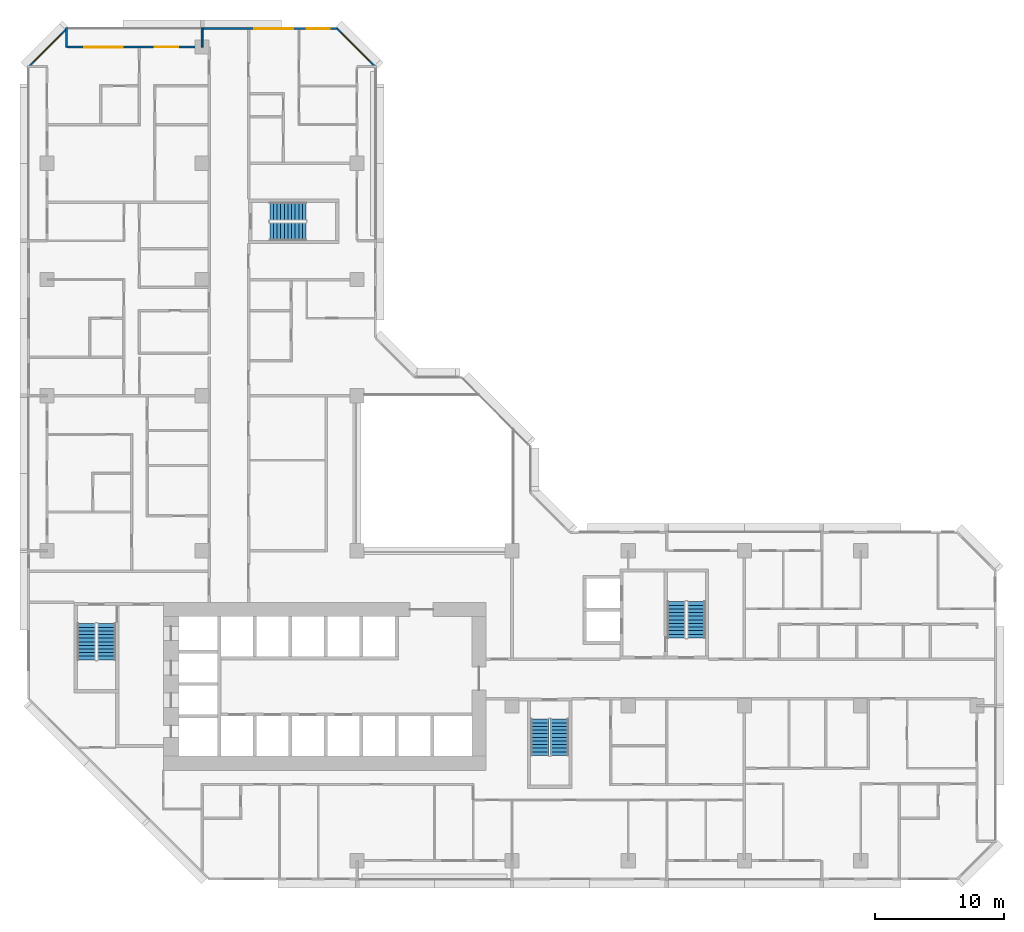
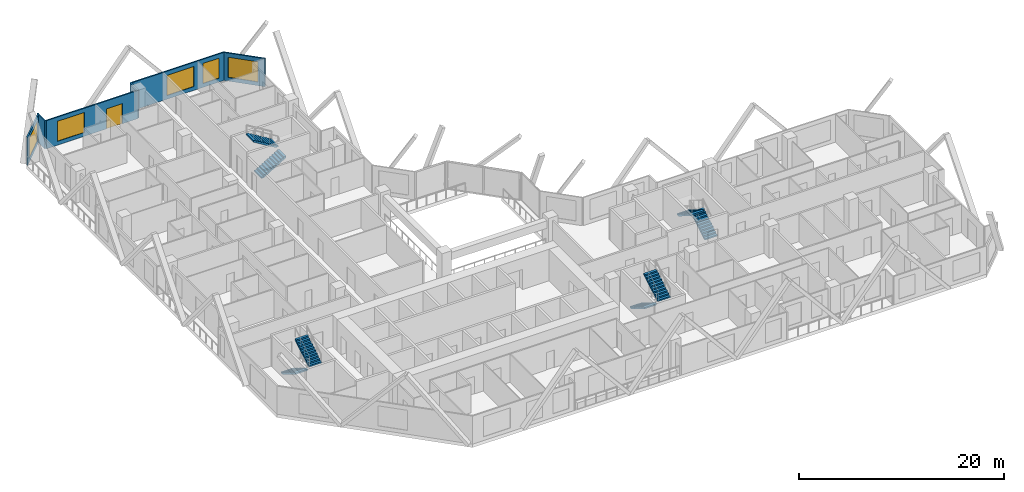
# One storey, part 13 of 15: 8 stair flights, 6 walls, 5 windows, 1 door, 6 openings, 4 elements without a shape of their own.
"""IFC4 building model written with IfcOpenShell, lengths in metres."""

from ifc_helpers import new_model, si_unit, direction, frame, frame_2d, origin, place, context, subcontext, project, spatial, polyline, rectangle, outline, extrude, material, layer, layer_set, type_object, element, fill, aggregate, save


model = new_model("IFC4")

# Units and contexts
model_context = context("Model", 3, precision=1e-05, world=origin(), true_north=direction((0.0, 1.0)))
body_context = subcontext(model_context, "Body", "Model", "MODEL_VIEW")
ifc_project = project(units=[si_unit("LENGTHUNIT", "METRE"), si_unit("AREAUNIT", "SQUARE_METRE"), si_unit("VOLUMEUNIT", "CUBIC_METRE"), si_unit("PLANEANGLEUNIT", "RADIAN"), si_unit("MASSUNIT", "GRAM", prefix="KILO")], contexts=[model_context])

# Site, building, storey
site_placement = place(None, origin())
site = spatial("IfcSite", under=ifc_project, at=site_placement, CompositionType="ELEMENT")
building_placement = place(site_placement, origin())
building = spatial("IfcBuilding", under=site, at=building_placement, Name="Chenar Terraces", CompositionType="ELEMENT")
storey_placement = place(building_placement, frame((0.0, 0.0, 48.89990234375)))
storey = spatial("IfcBuildingStorey", under=building, at=storey_placement, Name="L09", CompositionType="ELEMENT", Elevation=48.89990234375)

# Wall, openings, windows
ifc_material_1 = material(Name="Aluminium framed glazing", Category="aluminium")
ifc_layer_1 = layer(ifc_material_1, 0.14990234375)
ifc_layer_set_1 = layer_set([ifc_layer_1], Name="Aluminium framed glazing")
wall_type_1 = type_object("IfcWallType", Name="Glazed flush facade wall 150", PredefinedType="SOLIDWALL", material=ifc_layer_set_1)
wall_1_placement = place(storey_placement, frame((22.5, 64.425048828125, 0.0), z_axis=(0.0, 0.0, 1.0), x_axis=(-1.0, 0.0, 0.0)))
wall_1 = element("IfcWall", 1, at=wall_1_placement, inside=storey, type_object=wall_type_1, Name="Glazed flush facade wall", PredefinedType="SOLIDWALL", context=body_context, shape_type="SweptSolid", body=[
    extrude(rectangle(XDim=10.425048828125, YDim=0.14990234375, at=frame_2d((5.21240234375, 0.0))), origin(), (0.0, 0.0, 1.0), 3.35009765625),
])
opening_1_placement = place(wall_1_placement, frame((0.60009765625, 0.0, 0.449951171875)))
opening_1 = element("IfcOpeningElement", 2, at=opening_1_placement, cuts=wall_1, Name="Opening W180x240", PredefinedType="OPENING", context=body_context, shape_type="SweptSolid", body=[
    extrude(rectangle(XDim=1.800048828125, YDim=2.39990234375, at=frame_2d((0.89990234375, 1.199951171875))), frame((0.0, 0.0849609375, 0.0), z_axis=(0.0, -1.0, 0.0), x_axis=(1.0, 0.0, 0.0)), (0.0, 0.0, 1.0), 0.169921875),
])
opening_2_placement = place(wall_1_placement, frame((3.449951171875, 0.0, 0.449951171875)))
opening_2 = element("IfcOpeningElement", 3, at=opening_2_placement, cuts=wall_1, Name="Opening W300x240", PredefinedType="OPENING", context=body_context, shape_type="SweptSolid", body=[
    extrude(rectangle(XDim=3.0, YDim=2.39990234375, at=frame_2d((1.5, 1.199951171875))), frame((0.0, 0.0849609375, 0.0), z_axis=(0.0, -1.0, 0.0), x_axis=(1.0, 0.0, 0.0)), (0.0, 0.0, 1.0), 0.169921875),
])
ifc_material_2 = material(Name="Low emissivity double glazing, aluminium frame", Category="aluminium")
window_type_1 = type_object("IfcWindowType", Name="Fixed light 1800 x 2400", PartitioningType="SINGLE_PANEL", PredefinedType="WINDOW", material=ifc_material_2)
window_1_placement = place(opening_1_placement, origin())
window_1 = element("IfcWindow", 4, at=window_1_placement, inside=storey, type_object=window_type_1, Name="Window", OverallHeight=2.39990234375, OverallWidth=1.800048828125, PartitioningType="SINGLE_PANEL", PredefinedType="WINDOW", context=body_context, shape_type="SweptSolid", body=[
    extrude(rectangle(XDim=1.800048828125, YDim=2.39990234375, at=frame_2d((0.89990234375, 1.199951171875))), frame((0.0, 0.030029296875, 0.0), z_axis=(0.0, -1.0, 0.0), x_axis=(1.0, 0.0, 0.0)), (0.0, 0.0, 1.0), 0.06005859375),
])
fill(opening_1, window_1)
ifc_material_3 = material(Name="Low emissivity double glazing, aluminium frame", Category="aluminium")
window_type_2 = type_object("IfcWindowType", Name="Fixed light 3000 x 2400", PartitioningType="SINGLE_PANEL", PredefinedType="WINDOW", material=ifc_material_3)
window_2_placement = place(opening_2_placement, origin())
window_2 = element("IfcWindow", 5, at=window_2_placement, inside=storey, type_object=window_type_2, Name="Window", OverallHeight=2.39990234375, OverallWidth=3.0, PartitioningType="SINGLE_PANEL", PredefinedType="WINDOW", context=body_context, shape_type="SweptSolid", body=[
    extrude(rectangle(XDim=3.0, YDim=2.39990234375, at=frame_2d((1.5, 1.199951171875))), frame((0.0, 0.030029296875, 0.0), z_axis=(0.0, -1.0, 0.0), x_axis=(1.0, 0.0, 0.0)), (0.0, 0.0, 1.0), 0.06005859375),
])
fill(opening_2, window_2)

# Wall, openings, window, door
ifc_material_4 = material(Name="Aluminium framed glazing", Category="aluminium")
ifc_layer_2 = layer(ifc_material_4, 0.14990234375)
ifc_layer_set_2 = layer_set([ifc_layer_2], Name="Aluminium framed glazing")
wall_type_2 = type_object("IfcWallType", Name="Glazed loggia back wall 150", PredefinedType="SOLIDWALL", material=ifc_layer_set_2)
wall_2_placement = place(storey_placement, frame((11.925048828125, 63.0, 0.0), z_axis=(0.0, 0.0, 1.0), x_axis=(-1.0, 0.0, 0.0)))
wall_2 = element("IfcWall", 6, at=wall_2_placement, inside=storey, type_object=wall_type_2, Name="Glazed loggia back wall", PredefinedType="SOLIDWALL", context=body_context, shape_type="SweptSolid", body=[
    extrude(rectangle(XDim=10.35009765625, YDim=0.14990234375, at=frame_2d((5.175048828125, 0.0))), origin(), (0.0, 0.0, 1.0), 3.35009765625),
])
opening_3_placement = place(wall_2_placement, frame((1.77490234375, 0.0, 0.0)))
opening_3 = element("IfcOpeningElement", 7, at=opening_3_placement, cuts=wall_2, Name="Opening DL09-G2", PredefinedType="OPENING", context=body_context, shape_type="SweptSolid", body=[
    extrude(rectangle(XDim=1.800048828125, YDim=2.39990234375, at=frame_2d((0.89990234375, 1.199951171875))), frame((0.0, 0.0849609375, 0.0), z_axis=(0.0, -1.0, 0.0), x_axis=(1.0, 0.0, 0.0)), (0.0, 0.0, 1.0), 0.169921875),
])
opening_4_placement = place(wall_2_placement, frame((6.0625, 0.0, 0.449951171875)))
opening_4 = element("IfcOpeningElement", 8, at=opening_4_placement, cuts=wall_2, Name="Opening W300x240", PredefinedType="OPENING", context=body_context, shape_type="SweptSolid", body=[
    extrude(rectangle(XDim=3.0, YDim=2.39990234375, at=frame_2d((1.5, 1.199951171875))), frame((0.0, 0.0849609375, 0.0), z_axis=(0.0, -1.0, 0.0), x_axis=(1.0, 0.0, 0.0)), (0.0, 0.0, 1.0), 0.169921875),
])
window_3_placement = place(opening_4_placement, origin())
window_3 = element("IfcWindow", 9, at=window_3_placement, inside=storey, type_object=window_type_2, Name="Window", OverallHeight=2.39990234375, OverallWidth=3.0, PartitioningType="SINGLE_PANEL", PredefinedType="WINDOW", context=body_context, shape_type="SweptSolid", body=[
    extrude(rectangle(XDim=3.0, YDim=2.39990234375, at=frame_2d((1.5, 1.199951171875))), frame((0.0, 0.030029296875, 0.0), z_axis=(0.0, -1.0, 0.0), x_axis=(1.0, 0.0, 0.0)), (0.0, 0.0, 1.0), 0.06005859375),
])
fill(opening_4, window_3)
ifc_material_5 = material(Name="Low emissivity double glazing, aluminium frame", Category="aluminium")
door_type = type_object("IfcDoorType", Name="Loggia glazed double door 1800 x 2400", OperationType="DOUBLE_DOOR_SINGLE_SWING", PredefinedType="DOOR", material=ifc_material_5)
door_placement = place(opening_3_placement, frame((1.800048828125, 0.0, 0.0), z_axis=(0.0, 0.0, 1.0), x_axis=(-1.0, 0.0, 0.0)))
door = element("IfcDoor", 10, at=door_placement, inside=storey, type_object=door_type, Name="Loggia glazed door", OperationType="DOUBLE_DOOR_SINGLE_SWING", OverallHeight=2.39990234375, OverallWidth=1.800048828125, PredefinedType="DOOR", context=body_context, shape_type="SweptSolid", body=[
    extrude(rectangle(XDim=1.800048828125, YDim=2.39990234375, at=frame_2d((0.89990234375, 1.199951171875))), frame((0.0, 0.02490234375, 0.0), z_axis=(0.0, -1.0, 0.0), x_axis=(1.0, 0.0, 0.0)), (0.0, 0.0, 1.0), 0.050048828125),
])
fill(opening_3, door)

# Walls
ifc_material_6 = material(Name="Terracotta cladding on insulated backing", Category="masonry")
ifc_layer_3 = layer(ifc_material_6, 0.14990234375)
ifc_layer_set_3 = layer_set([ifc_layer_3], Name="Terracotta cladding on insulated backing")
wall_type_3 = type_object("IfcWallType", Name="Loggia return wall 150", PredefinedType="SOLIDWALL", material=ifc_layer_set_3)
for number, where, z_axis, x_axis, name in (
    (11, (12.0, 64.5, 0.0), (0.0, 0.0, 1.0), (0.0, -1.0, 0.0), "Loggia return wall"),
    (12, (1.5, 64.5, 0.0), (0.0, 0.0, 1.0), (0.0, -1.0, 0.0), "Loggia return wall"),
):
    element("IfcWall", number, at=place(storey_placement, frame(where, z_axis=z_axis, x_axis=x_axis)), inside=storey, type_object=wall_type_3, Name=name, PredefinedType="SOLIDWALL", context=body_context, shape_type="SweptSolid", body=[
        extrude(rectangle(XDim=1.5, YDim=0.14990234375, at=frame_2d((0.75, 0.0))), origin(), (0.0, 0.0, 1.0), 3.35009765625),
    ])

# Wall, opening, window
ifc_material_7 = material(Name="Terracotta cladding on insulated backing", Category="masonry")
ifc_layer_4 = layer(ifc_material_7, 0.14990234375)
ifc_layer_set_4 = layer_set([ifc_layer_4], Name="Terracotta cladding on insulated backing")
wall_type_4 = type_object("IfcWallType", Name="Terracotta rainscreen wall 150", PredefinedType="SOLIDWALL", material=ifc_layer_set_4)
wall_3_placement = place(storey_placement, frame((25.447021484375, 61.447021484375, 0.0), z_axis=(0.0, 0.0, 1.0), x_axis=(-0.707106781187, 0.707106781187, 0.0)))
wall_3 = element("IfcWall", 13, at=wall_3_placement, inside=storey, type_object=wall_type_4, Name="Terracotta rainscreen wall", PredefinedType="SOLIDWALL", context=body_context, shape_type="SweptSolid", body=[
    extrude(rectangle(XDim=4.24267578125, YDim=0.14990234375, at=frame_2d((2.121337890625, 0.0))), origin(), (0.0, 0.0, 1.0), 3.35009765625),
])
opening_5_placement = place(wall_3_placement, frame((0.744384765625, 0.0, 0.449951171875)))
opening_5 = element("IfcOpeningElement", 14, at=opening_5_placement, cuts=wall_3, Name="Opening W300x240", PredefinedType="OPENING", context=body_context, shape_type="SweptSolid", body=[
    extrude(rectangle(XDim=3.0, YDim=2.39990234375, at=frame_2d((1.5, 1.199951171875))), frame((0.0, 0.0849609375, 0.0), z_axis=(0.0, -1.0, 0.0), x_axis=(1.0, 0.0, 0.0)), (0.0, 0.0, 1.0), 0.169921875),
])
window_4_placement = place(opening_5_placement, origin())
window_4 = element("IfcWindow", 15, at=window_4_placement, inside=storey, type_object=window_type_2, Name="Window", OverallHeight=2.39990234375, OverallWidth=3.0, PartitioningType="SINGLE_PANEL", PredefinedType="WINDOW", context=body_context, shape_type="SweptSolid", body=[
    extrude(rectangle(XDim=3.0, YDim=2.39990234375, at=frame_2d((1.5, 1.199951171875))), frame((0.0, 0.030029296875, 0.0), z_axis=(0.0, -1.0, 0.0), x_axis=(1.0, 0.0, 0.0)), (0.0, 0.0, 1.0), 0.06005859375),
])
fill(opening_5, window_4)

wall_4_placement = place(storey_placement, frame((1.552978515625, 64.447021484375, 0.0), z_axis=(0.0, 0.0, 1.0), x_axis=(-0.707106781187, -0.707106781187, 0.0)))
wall_4 = element("IfcWall", 16, at=wall_4_placement, inside=storey, type_object=wall_type_4, Name="Terracotta rainscreen wall", PredefinedType="SOLIDWALL", context=body_context, shape_type="SweptSolid", body=[
    extrude(rectangle(XDim=4.24267578125, YDim=0.14990234375, at=frame_2d((2.121337890625, 0.0))), origin(), (0.0, 0.0, 1.0), 3.35009765625),
])
opening_6_placement = place(wall_4_placement, frame((0.621337890625, 0.0, 0.449951171875)))
opening_6 = element("IfcOpeningElement", 17, at=opening_6_placement, cuts=wall_4, Name="Opening W300x240", PredefinedType="OPENING", context=body_context, shape_type="SweptSolid", body=[
    extrude(rectangle(XDim=3.0, YDim=2.39990234375, at=frame_2d((1.5, 1.199951171875))), frame((0.0, 0.0849609375, 0.0), z_axis=(0.0, -1.0, 0.0), x_axis=(1.0, 0.0, 0.0)), (0.0, 0.0, 1.0), 0.169921875),
])
window_5_placement = place(opening_6_placement, origin())
window_5 = element("IfcWindow", 18, at=window_5_placement, inside=storey, type_object=window_type_2, Name="Window", OverallHeight=2.39990234375, OverallWidth=3.0, PartitioningType="SINGLE_PANEL", PredefinedType="WINDOW", context=body_context, shape_type="SweptSolid", body=[
    extrude(rectangle(XDim=3.0, YDim=2.39990234375, at=frame_2d((1.5, 1.199951171875))), frame((0.0, 0.030029296875, 0.0), z_axis=(0.0, -1.0, 0.0), x_axis=(1.0, 0.0, 0.0)), (0.0, 0.0, 1.0), 0.06005859375),
])
fill(opening_6, window_5)

# Stair, stair flights
ifc_material_8 = material(Name="Reinforced concrete C40/50", Category="concrete")
stair_type = type_object("IfcStairType", Name="Core stair 1400 half-turn", PredefinedType="HALF_TURN_STAIR", material=ifc_material_8)
placement = place(storey_placement, origin())
stair_1 = element("IfcStair", 19, at=placement, inside=storey, type_object=stair_type, Name="L09 Stair 1", PredefinedType="HALF_TURN_STAIR")
ifc_material_9 = material(Name="Reinforced concrete C40/50", Category="concrete")
stair_flight_type = type_object("IfcStairFlightType", Name="Core stair flight 1400", PredefinedType="STRAIGHT", material=ifc_material_9)
stair_flight_1_placement = place(storey_placement, frame((3.050048828125, 18.35009765625, 0.0), z_axis=(0.0, 0.0, 1.0), x_axis=(0.0, -1.0, 0.0)))
stair_flight_1 = element("IfcStairFlight", 20, at=stair_flight_1_placement, type_object=stair_flight_type, Name="ST1 flight 1", NumberOfRisers=11, NumberOfTreads=10, PredefinedType="STRAIGHT", RiserHeight=0.170454545, TreadLength=0.28, context=body_context, shape_type="SweptSolid", body=[
    extrude(outline(polyline([(-0.0029296875, 0.0), (-0.0029296875, 0.17041015625), (0.0, 0.17041015625), (0.280029296875, 0.17041015625), (0.280029296875, 0.3408203125), (0.56005859375, 0.3408203125), (0.56005859375, 0.511474609375), (0.840087890625, 0.511474609375), (0.840087890625, 0.681884765625), (1.1201171875, 0.681884765625), (1.1201171875, 0.852294921875), (1.39990234375, 0.852294921875), (1.39990234375, 1.022705078125), (1.679931640625, 1.022705078125), (1.679931640625, 1.193115234375), (1.9599609375, 1.193115234375), (1.9599609375, 1.363525390625), (2.239990234375, 1.363525390625), (2.239990234375, 1.5341796875), (2.52001953125, 1.5341796875), (2.52001953125, 1.70458984375), (2.800048828125, 1.70458984375), (2.802978515625, 1.70458984375), (2.802978515625, 1.529052734375), (2.800048828125, 1.529052734375), (0.288330078125, 0.0), (-0.0029296875, 0.0)])), frame((0.0, 0.699951171875, 0.0), z_axis=(0.0, -1.0, 0.0), x_axis=(1.0, 0.0, 0.0)), (0.0, 0.0, 1.0), 1.39990234375),
])
stair_flight_2_placement = place(storey_placement, frame((4.60009765625, 15.550048828125, 1.875), z_axis=(0.0, 0.0, 1.0), x_axis=(0.0, 1.0, 0.0)))
stair_flight_2 = element("IfcStairFlight", 21, at=stair_flight_2_placement, type_object=stair_flight_type, Name="ST1 flight 2", NumberOfRisers=11, NumberOfTreads=10, PredefinedType="STRAIGHT", RiserHeight=0.170454545, TreadLength=0.28, context=body_context, shape_type="SweptSolid", body=[
    extrude(outline(polyline([(-0.0029296875, 0.0), (-0.0029296875, 0.17041015625), (0.0, 0.17041015625), (0.280029296875, 0.17041015625), (0.280029296875, 0.3408203125), (0.56005859375, 0.3408203125), (0.56005859375, 0.511474609375), (0.840087890625, 0.511474609375), (0.840087890625, 0.681884765625), (1.1201171875, 0.681884765625), (1.1201171875, 0.852294921875), (1.39990234375, 0.852294921875), (1.39990234375, 1.022705078125), (1.679931640625, 1.022705078125), (1.679931640625, 1.193115234375), (1.9599609375, 1.193115234375), (1.9599609375, 1.363525390625), (2.239990234375, 1.363525390625), (2.239990234375, 1.5341796875), (2.52001953125, 1.5341796875), (2.52001953125, 1.70458984375), (2.800048828125, 1.70458984375), (2.802978515625, 1.70458984375), (2.802978515625, 1.529052734375), (2.800048828125, 1.529052734375), (0.288330078125, 0.0), (-0.0029296875, 0.0)])), frame((0.0, 0.699951171875, 0.0), z_axis=(0.0, -1.0, 0.0), x_axis=(1.0, 0.0, 0.0)), (0.0, 0.0, 1.0), 1.39990234375),
])
aggregate(stair_1, [stair_flight_1, stair_flight_2])

stair_2 = element("IfcStair", 22, at=placement, inside=storey, type_object=stair_type, Name="L09 Stair 2", PredefinedType="HALF_TURN_STAIR")
stair_flight_3_placement = place(storey_placement, frame((38.14990234375, 10.949951171875, 0.0), z_axis=(0.0, 0.0, 1.0), x_axis=(0.0, -1.0, 0.0)))
stair_flight_3 = element("IfcStairFlight", 23, at=stair_flight_3_placement, type_object=stair_flight_type, Name="ST2 flight 1", NumberOfRisers=11, NumberOfTreads=10, PredefinedType="STRAIGHT", RiserHeight=0.170454545, TreadLength=0.28, context=body_context, shape_type="SweptSolid", body=[
    extrude(outline(polyline([(-0.0029296875, 0.0), (-0.0029296875, 0.17041015625), (0.0, 0.17041015625), (0.280029296875, 0.17041015625), (0.280029296875, 0.3408203125), (0.56005859375, 0.3408203125), (0.56005859375, 0.511474609375), (0.840087890625, 0.511474609375), (0.840087890625, 0.681884765625), (1.1201171875, 0.681884765625), (1.1201171875, 0.852294921875), (1.39990234375, 0.852294921875), (1.39990234375, 1.022705078125), (1.679931640625, 1.022705078125), (1.679931640625, 1.193115234375), (1.9599609375, 1.193115234375), (1.9599609375, 1.363525390625), (2.239990234375, 1.363525390625), (2.239990234375, 1.5341796875), (2.52001953125, 1.5341796875), (2.52001953125, 1.70458984375), (2.800048828125, 1.70458984375), (2.802978515625, 1.70458984375), (2.802978515625, 1.529052734375), (2.800048828125, 1.529052734375), (0.288330078125, 0.0), (-0.0029296875, 0.0)])), frame((0.0, 0.699951171875, 0.0), z_axis=(0.0, -1.0, 0.0), x_axis=(1.0, 0.0, 0.0)), (0.0, 0.0, 1.0), 1.39990234375),
])
stair_flight_4_placement = place(storey_placement, frame((39.699951171875, 8.14990234375, 1.875), z_axis=(0.0, 0.0, 1.0), x_axis=(0.0, 1.0, 0.0)))
stair_flight_4 = element("IfcStairFlight", 24, at=stair_flight_4_placement, type_object=stair_flight_type, Name="ST2 flight 2", NumberOfRisers=11, NumberOfTreads=10, PredefinedType="STRAIGHT", RiserHeight=0.170454545, TreadLength=0.28, context=body_context, shape_type="SweptSolid", body=[
    extrude(outline(polyline([(-0.0029296875, 0.0), (-0.0029296875, 0.17041015625), (0.0, 0.17041015625), (0.280029296875, 0.17041015625), (0.280029296875, 0.3408203125), (0.56005859375, 0.3408203125), (0.56005859375, 0.511474609375), (0.840087890625, 0.511474609375), (0.840087890625, 0.681884765625), (1.1201171875, 0.681884765625), (1.1201171875, 0.852294921875), (1.39990234375, 0.852294921875), (1.39990234375, 1.022705078125), (1.679931640625, 1.022705078125), (1.679931640625, 1.193115234375), (1.9599609375, 1.193115234375), (1.9599609375, 1.363525390625), (2.239990234375, 1.363525390625), (2.239990234375, 1.5341796875), (2.52001953125, 1.5341796875), (2.52001953125, 1.70458984375), (2.800048828125, 1.70458984375), (2.802978515625, 1.70458984375), (2.802978515625, 1.529052734375), (2.800048828125, 1.529052734375), (0.288330078125, 0.0), (-0.0029296875, 0.0)])), frame((0.0, 0.699951171875, 0.0), z_axis=(0.0, -1.0, 0.0), x_axis=(1.0, 0.0, 0.0)), (0.0, 0.0, 1.0), 1.39990234375),
])
aggregate(stair_2, [stair_flight_3, stair_flight_4])

stair_3 = element("IfcStair", 25, at=placement, inside=storey, type_object=stair_type, Name="L09 Stair 3", PredefinedType="HALF_TURN_STAIR")
stair_flight_5_placement = place(storey_placement, frame((50.27490234375, 17.25, 0.0), z_axis=(0.0, 0.0, 1.0), x_axis=(0.0, 1.0, 0.0)))
stair_flight_5 = element("IfcStairFlight", 26, at=stair_flight_5_placement, type_object=stair_flight_type, Name="ST3 flight 1", NumberOfRisers=11, NumberOfTreads=10, PredefinedType="STRAIGHT", RiserHeight=0.170454545, TreadLength=0.28, context=body_context, shape_type="SweptSolid", body=[
    extrude(outline(polyline([(-0.0029296875, 0.0), (-0.0029296875, 0.17041015625), (0.0, 0.17041015625), (0.280029296875, 0.17041015625), (0.280029296875, 0.3408203125), (0.56005859375, 0.3408203125), (0.56005859375, 0.511474609375), (0.840087890625, 0.511474609375), (0.840087890625, 0.681884765625), (1.1201171875, 0.681884765625), (1.1201171875, 0.852294921875), (1.39990234375, 0.852294921875), (1.39990234375, 1.022705078125), (1.679931640625, 1.022705078125), (1.679931640625, 1.193115234375), (1.9599609375, 1.193115234375), (1.9599609375, 1.363525390625), (2.239990234375, 1.363525390625), (2.239990234375, 1.5341796875), (2.52001953125, 1.5341796875), (2.52001953125, 1.70458984375), (2.800048828125, 1.70458984375), (2.802978515625, 1.70458984375), (2.802978515625, 1.529052734375), (2.800048828125, 1.529052734375), (0.288330078125, 0.0), (-0.0029296875, 0.0)])), frame((0.0, 0.699951171875, 0.0), z_axis=(0.0, -1.0, 0.0), x_axis=(1.0, 0.0, 0.0)), (0.0, 0.0, 1.0), 1.39990234375),
])
stair_flight_6_placement = place(storey_placement, frame((48.72509765625, 20.050048828125, 1.875), z_axis=(0.0, 0.0, 1.0), x_axis=(0.0, -1.0, 0.0)))
stair_flight_6 = element("IfcStairFlight", 27, at=stair_flight_6_placement, type_object=stair_flight_type, Name="ST3 flight 2", NumberOfRisers=11, NumberOfTreads=10, PredefinedType="STRAIGHT", RiserHeight=0.170454545, TreadLength=0.28, context=body_context, shape_type="SweptSolid", body=[
    extrude(outline(polyline([(-0.0029296875, 0.0), (-0.0029296875, 0.17041015625), (0.0, 0.17041015625), (0.280029296875, 0.17041015625), (0.280029296875, 0.3408203125), (0.56005859375, 0.3408203125), (0.56005859375, 0.511474609375), (0.840087890625, 0.511474609375), (0.840087890625, 0.681884765625), (1.1201171875, 0.681884765625), (1.1201171875, 0.852294921875), (1.39990234375, 0.852294921875), (1.39990234375, 1.022705078125), (1.679931640625, 1.022705078125), (1.679931640625, 1.193115234375), (1.9599609375, 1.193115234375), (1.9599609375, 1.363525390625), (2.239990234375, 1.363525390625), (2.239990234375, 1.5341796875), (2.52001953125, 1.5341796875), (2.52001953125, 1.70458984375), (2.800048828125, 1.70458984375), (2.802978515625, 1.70458984375), (2.802978515625, 1.529052734375), (2.800048828125, 1.529052734375), (0.288330078125, 0.0), (-0.0029296875, 0.0)])), frame((0.0, 0.699951171875, 0.0), z_axis=(0.0, -1.0, 0.0), x_axis=(1.0, 0.0, 0.0)), (0.0, 0.0, 1.0), 1.39990234375),
])
aggregate(stair_3, [stair_flight_5, stair_flight_6])

stair_4 = element("IfcStair", 28, at=placement, inside=storey, type_object=stair_type, Name="L09 Stair 4", PredefinedType="HALF_TURN_STAIR")
stair_flight_7_placement = place(storey_placement, frame((17.25, 48.72509765625, 0.0), z_axis=(0.0, 0.0, 1.0), x_axis=(1.0, 0.0, 0.0)))
stair_flight_7 = element("IfcStairFlight", 29, at=stair_flight_7_placement, type_object=stair_flight_type, Name="ST4 flight 1", NumberOfRisers=11, NumberOfTreads=10, PredefinedType="STRAIGHT", RiserHeight=0.170454545, TreadLength=0.28, context=body_context, shape_type="SweptSolid", body=[
    extrude(outline(polyline([(-0.0029296875, 0.0), (-0.0029296875, 0.17041015625), (0.0, 0.17041015625), (0.280029296875, 0.17041015625), (0.280029296875, 0.3408203125), (0.56005859375, 0.3408203125), (0.56005859375, 0.511474609375), (0.840087890625, 0.511474609375), (0.840087890625, 0.681884765625), (1.1201171875, 0.681884765625), (1.1201171875, 0.852294921875), (1.39990234375, 0.852294921875), (1.39990234375, 1.022705078125), (1.679931640625, 1.022705078125), (1.679931640625, 1.193115234375), (1.9599609375, 1.193115234375), (1.9599609375, 1.363525390625), (2.239990234375, 1.363525390625), (2.239990234375, 1.5341796875), (2.52001953125, 1.5341796875), (2.52001953125, 1.70458984375), (2.800048828125, 1.70458984375), (2.802978515625, 1.70458984375), (2.802978515625, 1.529052734375), (2.800048828125, 1.529052734375), (0.288330078125, 0.0), (-0.0029296875, 0.0)])), frame((0.0, 0.699951171875, 0.0), z_axis=(0.0, -1.0, 0.0), x_axis=(1.0, 0.0, 0.0)), (0.0, 0.0, 1.0), 1.39990234375),
])
stair_flight_8_placement = place(storey_placement, frame((20.050048828125, 50.27490234375, 1.875), z_axis=(0.0, 0.0, 1.0), x_axis=(-1.0, 0.0, 0.0)))
stair_flight_8 = element("IfcStairFlight", 30, at=stair_flight_8_placement, type_object=stair_flight_type, Name="ST4 flight 2", NumberOfRisers=11, NumberOfTreads=10, PredefinedType="STRAIGHT", RiserHeight=0.170454545, TreadLength=0.28, context=body_context, shape_type="SweptSolid", body=[
    extrude(outline(polyline([(-0.0029296875, 0.0), (-0.0029296875, 0.17041015625), (0.0, 0.17041015625), (0.280029296875, 0.17041015625), (0.280029296875, 0.3408203125), (0.56005859375, 0.3408203125), (0.56005859375, 0.511474609375), (0.840087890625, 0.511474609375), (0.840087890625, 0.681884765625), (1.1201171875, 0.681884765625), (1.1201171875, 0.852294921875), (1.39990234375, 0.852294921875), (1.39990234375, 1.022705078125), (1.679931640625, 1.022705078125), (1.679931640625, 1.193115234375), (1.9599609375, 1.193115234375), (1.9599609375, 1.363525390625), (2.239990234375, 1.363525390625), (2.239990234375, 1.5341796875), (2.52001953125, 1.5341796875), (2.52001953125, 1.70458984375), (2.800048828125, 1.70458984375), (2.802978515625, 1.70458984375), (2.802978515625, 1.529052734375), (2.800048828125, 1.529052734375), (0.288330078125, 0.0), (-0.0029296875, 0.0)])), frame((0.0, 0.699951171875, 0.0), z_axis=(0.0, -1.0, 0.0), x_axis=(1.0, 0.0, 0.0)), (0.0, 0.0, 1.0), 1.39990234375),
])
aggregate(stair_4, [stair_flight_7, stair_flight_8])

save(model, "model.ifc")
